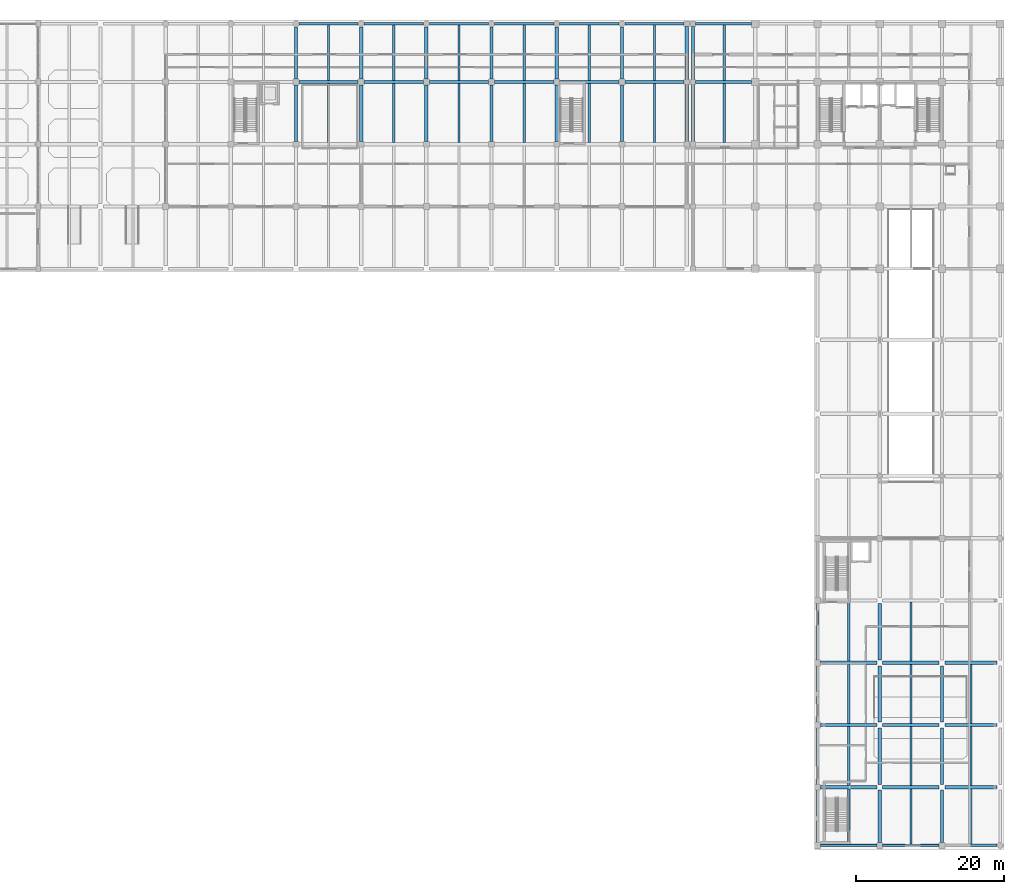
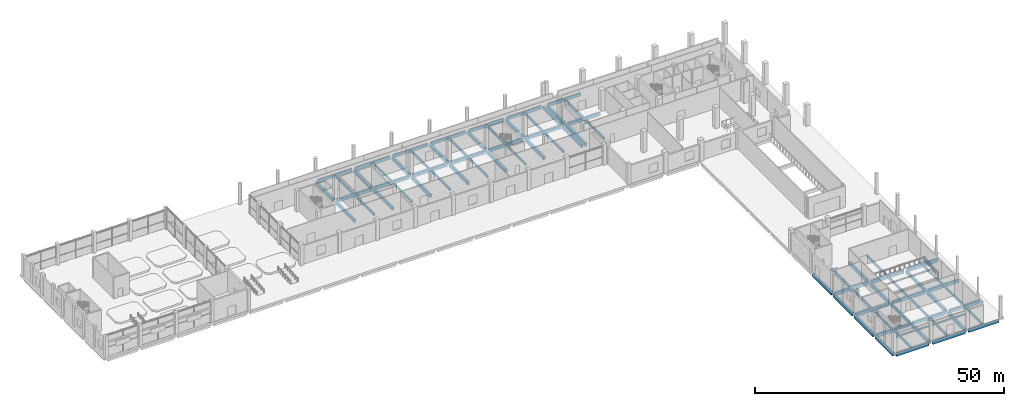
# One storey, part 14 of 34: 80 beams.
"""IFC4 building model written with IfcOpenShell, lengths in metres."""

from ifc_helpers import new_model, si_unit, direction, frame, origin, origin_2d, place, context, subcontext, project, spatial, rectangle, extrude, material, material_profile, profile_set, type_object, element, save


model = new_model("IFC4")

# Units and contexts
model_context = context("Model", 3, precision=1e-05, world=origin(), true_north=direction((0.0, 1.0)))
body_context = subcontext(model_context, "Body", "Model", "MODEL_VIEW")
ifc_project = project(units=[si_unit("LENGTHUNIT", "METRE"), si_unit("AREAUNIT", "SQUARE_METRE"), si_unit("VOLUMEUNIT", "CUBIC_METRE"), si_unit("PLANEANGLEUNIT", "RADIAN"), si_unit("MASSUNIT", "GRAM", prefix="KILO")], contexts=[model_context])

# Site, building, storey
site_placement = place(None, origin())
site = spatial("IfcSite", under=ifc_project, at=site_placement, CompositionType="ELEMENT")
building_placement = place(site_placement, origin())
building = spatial("IfcBuilding", under=site, at=building_placement, Name="Brinegate Botanical Conservatory", CompositionType="ELEMENT")
storey_placement = place(building_placement, origin())
storey = spatial("IfcBuildingStorey", under=building, at=storey_placement, Name="L01", CompositionType="ELEMENT", Elevation=0.0)

# Beams
ifc_material_1 = material(Name="Concrete C40/50", Category="concrete")
ifc_material_profile_1 = material_profile(ifc_material_1, rectangle(XDim=0.449951171875, YDim=0.800048828125, at=origin_2d()), Name="RC BM 450x800")
ifc_profile_set_1 = profile_set([ifc_material_profile_1], Name="Concrete C40/50")
beam_type_1 = type_object("IfcBeamType", Name="Beam_BM-G1", PredefinedType="BEAM", material=ifc_profile_set_1)
beam_1_placement = place(storey_placement, frame((139.199951171875, 8.39990234375, -0.804931640625), z_axis=(1.0, 0.0, 0.0), x_axis=(0.0, 1.0, 0.0)))
element("IfcBeam", 1, at=beam_1_placement, inside=storey, type_object=beam_type_1, Name="Beam BM-G1 L01 B:18-19", PredefinedType="BEAM", context=body_context, shape_type="SweptSolid", body=[
    extrude(rectangle(XDim=0.449951171875, YDim=0.800048828125, at=origin_2d()), origin(), (0.0, 0.0, 1.0), 7.60009765625),
])
beam_2_placement = place(storey_placement, frame((147.60009765625, 8.39990234375, -0.804931640625), z_axis=(1.0, 0.0, 0.0), x_axis=(0.0, 1.0, 0.0)))
element("IfcBeam", 2, at=beam_2_placement, inside=storey, type_object=beam_type_1, Name="Beam BM-G1 L01 B:19-20", PredefinedType="BEAM", context=body_context, shape_type="SweptSolid", body=[
    extrude(rectangle(XDim=0.449951171875, YDim=0.800048828125, at=origin_2d()), origin(), (0.0, 0.0, 1.0), 7.599853515625),
])
beam_3_placement = place(storey_placement, frame((156.0, 8.39990234375, -0.804931640625), z_axis=(1.0, 0.0, 0.0), x_axis=(0.0, 1.0, 0.0)))
element("IfcBeam", 3, at=beam_3_placement, inside=storey, type_object=beam_type_1, Name="Beam BM-G1 L01 B:20-21", PredefinedType="BEAM", context=body_context, shape_type="SweptSolid", body=[
    extrude(rectangle(XDim=0.449951171875, YDim=0.800048828125, at=origin_2d()), origin(), (0.0, 0.0, 1.0), 7.050048828125),
])
beam_4_placement = place(storey_placement, frame((139.199951171875, 16.800048828125, -0.804931640625), z_axis=(1.0, 0.0, 0.0), x_axis=(0.0, 1.0, 0.0)))
element("IfcBeam", 4, at=beam_4_placement, inside=storey, type_object=beam_type_1, Name="Beam BM-G1 L01 C:18-19", PredefinedType="BEAM", context=body_context, shape_type="SweptSolid", body=[
    extrude(rectangle(XDim=0.449951171875, YDim=0.800048828125, at=origin_2d()), origin(), (0.0, 0.0, 1.0), 7.60009765625),
])
beam_5_placement = place(storey_placement, frame((147.60009765625, 16.800048828125, -0.804931640625), z_axis=(1.0, 0.0, 0.0), x_axis=(0.0, 1.0, 0.0)))
element("IfcBeam", 5, at=beam_5_placement, inside=storey, type_object=beam_type_1, Name="Beam BM-G1 L01 C:19-20", PredefinedType="BEAM", context=body_context, shape_type="SweptSolid", body=[
    extrude(rectangle(XDim=0.449951171875, YDim=0.800048828125, at=origin_2d()), origin(), (0.0, 0.0, 1.0), 7.599853515625),
])
beam_6_placement = place(storey_placement, frame((156.0, 16.800048828125, -0.804931640625), z_axis=(1.0, 0.0, 0.0), x_axis=(0.0, 1.0, 0.0)))
element("IfcBeam", 6, at=beam_6_placement, inside=storey, type_object=beam_type_1, Name="Beam BM-G1 L01 C:20-21", PredefinedType="BEAM", context=body_context, shape_type="SweptSolid", body=[
    extrude(rectangle(XDim=0.449951171875, YDim=0.800048828125, at=origin_2d()), origin(), (0.0, 0.0, 1.0), 7.050048828125),
])
beam_7_placement = place(storey_placement, frame((139.199951171875, 25.199951171875, -0.804931640625), z_axis=(1.0, 0.0, 0.0), x_axis=(0.0, 1.0, 0.0)))
element("IfcBeam", 7, at=beam_7_placement, inside=storey, type_object=beam_type_1, Name="Beam BM-G1 L01 D:18-19", PredefinedType="BEAM", context=body_context, shape_type="SweptSolid", body=[
    extrude(rectangle(XDim=0.449951171875, YDim=0.800048828125, at=origin_2d()), origin(), (0.0, 0.0, 1.0), 7.60009765625),
])
beam_8_placement = place(storey_placement, frame((147.60009765625, 25.199951171875, -0.804931640625), z_axis=(1.0, 0.0, 0.0), x_axis=(0.0, 1.0, 0.0)))
element("IfcBeam", 8, at=beam_8_placement, inside=storey, type_object=beam_type_1, Name="Beam BM-G1 L01 D:19-20", PredefinedType="BEAM", context=body_context, shape_type="SweptSolid", body=[
    extrude(rectangle(XDim=0.449951171875, YDim=0.800048828125, at=origin_2d()), origin(), (0.0, 0.0, 1.0), 7.599853515625),
])
beam_9_placement = place(storey_placement, frame((156.0, 25.199951171875, -0.804931640625), z_axis=(1.0, 0.0, 0.0), x_axis=(0.0, 1.0, 0.0)))
element("IfcBeam", 9, at=beam_9_placement, inside=storey, type_object=beam_type_1, Name="Beam BM-G1 L01 D:20-21", PredefinedType="BEAM", context=body_context, shape_type="SweptSolid", body=[
    extrude(rectangle(XDim=0.449951171875, YDim=0.800048828125, at=origin_2d()), origin(), (0.0, 0.0, 1.0), 7.050048828125),
])
for number, where, z_axis, x_axis, name in (
    (10, (68.800048828125, 103.60009765625, -0.804931640625), (1.0, 0.0, 0.0), (0.0, 1.0, 0.0), "Beam BM-G1 L01 N:9-10"),
    (11, (77.60009765625, 103.60009765625, -0.804931640625), (1.0, 0.0, 0.0), (0.0, 1.0, 0.0), "Beam BM-G1 L01 N:10-11"),
    (12, (86.39990234375, 103.60009765625, -0.804931640625), (1.0, 0.0, 0.0), (0.0, 1.0, 0.0), "Beam BM-G1 L01 N:11-12"),
    (13, (95.199951171875, 103.60009765625, -0.804931640625), (1.0, 0.0, 0.0), (0.0, 1.0, 0.0), "Beam BM-G1 L01 N:12-13"),
    (14, (104.0, 103.60009765625, -0.804931640625), (1.0, 0.0, 0.0), (0.0, 1.0, 0.0), "Beam BM-G1 L01 N:13-14"),
    (15, (112.800048828125, 103.60009765625, -0.804931640625), (1.0, 0.0, 0.0), (0.0, 1.0, 0.0), "Beam BM-G1 L01 N:14-15"),
):
    element("IfcBeam", number, at=place(storey_placement, frame(where, z_axis=z_axis, x_axis=x_axis)), inside=storey, type_object=beam_type_1, Name=name, PredefinedType="BEAM", context=body_context, shape_type="SweptSolid", body=[
        extrude(rectangle(XDim=0.449951171875, YDim=0.800048828125, at=origin_2d()), origin(), (0.0, 0.0, 1.0), 8.0),
    ])
beam_10_placement = place(storey_placement, frame((122.35009765625, 103.60009765625, -0.804931640625), z_axis=(1.0, 0.0, 0.0), x_axis=(0.0, 1.0, 0.0)))
element("IfcBeam", 16, at=beam_10_placement, inside=storey, type_object=beam_type_1, Name="Beam BM-G1 L01 N:16-17", PredefinedType="BEAM", context=body_context, shape_type="SweptSolid", body=[
    extrude(rectangle(XDim=0.449951171875, YDim=0.800048828125, at=origin_2d()), origin(), (0.0, 0.0, 1.0), 7.5498046875),
])
beam_11_placement = place(storey_placement, frame((68.39990234375, 95.60009765625, -0.804931640625), z_axis=(0.0, 1.0, 0.0), x_axis=(-1.0, 0.0, 0.0)))
element("IfcBeam", 17, at=beam_11_placement, inside=storey, type_object=beam_type_1, Name="Beam BM-G1 L01 9:M-N", PredefinedType="BEAM", context=body_context, shape_type="SweptSolid", body=[
    extrude(rectangle(XDim=0.449951171875, YDim=0.800048828125, at=origin_2d()), origin(), (0.0, 0.0, 1.0), 7.599853515625),
])
beam_12_placement = place(storey_placement, frame((68.39990234375, 104.0, -0.804931640625), z_axis=(0.0, 1.0, 0.0), x_axis=(-1.0, 0.0, 0.0)))
element("IfcBeam", 18, at=beam_12_placement, inside=storey, type_object=beam_type_1, Name="Beam BM-G1 L01 9:N-P", PredefinedType="BEAM", context=body_context, shape_type="SweptSolid", body=[
    extrude(rectangle(XDim=0.449951171875, YDim=0.800048828125, at=origin_2d()), origin(), (0.0, 0.0, 1.0), 7.050048828125),
])
beam_13_placement = place(storey_placement, frame((77.199951171875, 95.60009765625, -0.804931640625), z_axis=(0.0, 1.0, 0.0), x_axis=(-1.0, 0.0, 0.0)))
element("IfcBeam", 19, at=beam_13_placement, inside=storey, type_object=beam_type_1, Name="Beam BM-G1 L01 10:M-N", PredefinedType="BEAM", context=body_context, shape_type="SweptSolid", body=[
    extrude(rectangle(XDim=0.449951171875, YDim=0.800048828125, at=origin_2d()), origin(), (0.0, 0.0, 1.0), 7.599853515625),
])
beam_14_placement = place(storey_placement, frame((77.199951171875, 104.0, -0.804931640625), z_axis=(0.0, 1.0, 0.0), x_axis=(-1.0, 0.0, 0.0)))
element("IfcBeam", 20, at=beam_14_placement, inside=storey, type_object=beam_type_1, Name="Beam BM-G1 L01 10:N-P", PredefinedType="BEAM", context=body_context, shape_type="SweptSolid", body=[
    extrude(rectangle(XDim=0.449951171875, YDim=0.800048828125, at=origin_2d()), origin(), (0.0, 0.0, 1.0), 7.050048828125),
])
beam_15_placement = place(storey_placement, frame((86.0, 95.60009765625, -0.804931640625), z_axis=(0.0, 1.0, 0.0), x_axis=(-1.0, 0.0, 0.0)))
element("IfcBeam", 21, at=beam_15_placement, inside=storey, type_object=beam_type_1, Name="Beam BM-G1 L01 11:M-N", PredefinedType="BEAM", context=body_context, shape_type="SweptSolid", body=[
    extrude(rectangle(XDim=0.449951171875, YDim=0.800048828125, at=origin_2d()), origin(), (0.0, 0.0, 1.0), 7.599853515625),
])
beam_16_placement = place(storey_placement, frame((86.0, 104.0, -0.804931640625), z_axis=(0.0, 1.0, 0.0), x_axis=(-1.0, 0.0, 0.0)))
element("IfcBeam", 22, at=beam_16_placement, inside=storey, type_object=beam_type_1, Name="Beam BM-G1 L01 11:N-P", PredefinedType="BEAM", context=body_context, shape_type="SweptSolid", body=[
    extrude(rectangle(XDim=0.449951171875, YDim=0.800048828125, at=origin_2d()), origin(), (0.0, 0.0, 1.0), 7.050048828125),
])
beam_17_placement = place(storey_placement, frame((94.800048828125, 95.60009765625, -0.804931640625), z_axis=(0.0, 1.0, 0.0), x_axis=(-1.0, 0.0, 0.0)))
element("IfcBeam", 23, at=beam_17_placement, inside=storey, type_object=beam_type_1, Name="Beam BM-G1 L01 12:M-N", PredefinedType="BEAM", context=body_context, shape_type="SweptSolid", body=[
    extrude(rectangle(XDim=0.449951171875, YDim=0.800048828125, at=origin_2d()), origin(), (0.0, 0.0, 1.0), 7.599853515625),
])
beam_18_placement = place(storey_placement, frame((94.800048828125, 104.0, -0.804931640625), z_axis=(0.0, 1.0, 0.0), x_axis=(-1.0, 0.0, 0.0)))
element("IfcBeam", 24, at=beam_18_placement, inside=storey, type_object=beam_type_1, Name="Beam BM-G1 L01 12:N-P", PredefinedType="BEAM", context=body_context, shape_type="SweptSolid", body=[
    extrude(rectangle(XDim=0.449951171875, YDim=0.800048828125, at=origin_2d()), origin(), (0.0, 0.0, 1.0), 7.050048828125),
])
beam_19_placement = place(storey_placement, frame((103.60009765625, 95.60009765625, -0.804931640625), z_axis=(0.0, 1.0, 0.0), x_axis=(-1.0, 0.0, 0.0)))
element("IfcBeam", 25, at=beam_19_placement, inside=storey, type_object=beam_type_1, Name="Beam BM-G1 L01 13:M-N", PredefinedType="BEAM", context=body_context, shape_type="SweptSolid", body=[
    extrude(rectangle(XDim=0.449951171875, YDim=0.800048828125, at=origin_2d()), origin(), (0.0, 0.0, 1.0), 7.599853515625),
])
beam_20_placement = place(storey_placement, frame((103.60009765625, 104.0, -0.804931640625), z_axis=(0.0, 1.0, 0.0), x_axis=(-1.0, 0.0, 0.0)))
element("IfcBeam", 26, at=beam_20_placement, inside=storey, type_object=beam_type_1, Name="Beam BM-G1 L01 13:N-P", PredefinedType="BEAM", context=body_context, shape_type="SweptSolid", body=[
    extrude(rectangle(XDim=0.449951171875, YDim=0.800048828125, at=origin_2d()), origin(), (0.0, 0.0, 1.0), 7.050048828125),
])
beam_21_placement = place(storey_placement, frame((112.39990234375, 95.60009765625, -0.804931640625), z_axis=(0.0, 1.0, 0.0), x_axis=(-1.0, 0.0, 0.0)))
element("IfcBeam", 27, at=beam_21_placement, inside=storey, type_object=beam_type_1, Name="Beam BM-G1 L01 14:M-N", PredefinedType="BEAM", context=body_context, shape_type="SweptSolid", body=[
    extrude(rectangle(XDim=0.449951171875, YDim=0.800048828125, at=origin_2d()), origin(), (0.0, 0.0, 1.0), 7.599853515625),
])
beam_22_placement = place(storey_placement, frame((112.39990234375, 104.0, -0.804931640625), z_axis=(0.0, 1.0, 0.0), x_axis=(-1.0, 0.0, 0.0)))
element("IfcBeam", 28, at=beam_22_placement, inside=storey, type_object=beam_type_1, Name="Beam BM-G1 L01 14:N-P", PredefinedType="BEAM", context=body_context, shape_type="SweptSolid", body=[
    extrude(rectangle(XDim=0.449951171875, YDim=0.800048828125, at=origin_2d()), origin(), (0.0, 0.0, 1.0), 7.050048828125),
])
beam_23_placement = place(storey_placement, frame((121.14990234375, 95.550048828125, -0.804931640625), z_axis=(0.0, 1.0, 0.0), x_axis=(-1.0, 0.0, 0.0)))
element("IfcBeam", 29, at=beam_23_placement, inside=storey, type_object=beam_type_1, Name="Beam BM-G1 L01 15:M-N", PredefinedType="BEAM", context=body_context, shape_type="SweptSolid", body=[
    extrude(rectangle(XDim=0.449951171875, YDim=0.800048828125, at=origin_2d()), origin(), (0.0, 0.0, 1.0), 7.699951171875),
])
beam_24_placement = place(storey_placement, frame((121.14990234375, 103.949951171875, -0.804931640625), z_axis=(0.0, 1.0, 0.0), x_axis=(-1.0, 0.0, 0.0)))
element("IfcBeam", 30, at=beam_24_placement, inside=storey, type_object=beam_type_1, Name="Beam BM-G1 L01 15:N-P", PredefinedType="BEAM", context=body_context, shape_type="SweptSolid", body=[
    extrude(rectangle(XDim=0.449951171875, YDim=0.800048828125, at=origin_2d()), origin(), (0.0, 0.0, 1.0), 7.150146484375),
])
beam_25_placement = place(storey_placement, frame((122.0, 95.550048828125, -0.804931640625), z_axis=(0.0, 1.0, 0.0), x_axis=(-1.0, 0.0, 0.0)))
element("IfcBeam", 31, at=beam_25_placement, inside=storey, type_object=beam_type_1, Name="Beam BM-G1 L01 16:M-N", PredefinedType="BEAM", context=body_context, shape_type="SweptSolid", body=[
    extrude(rectangle(XDim=0.449951171875, YDim=0.800048828125, at=origin_2d()), origin(), (0.0, 0.0, 1.0), 7.699951171875),
])
beam_26_placement = place(storey_placement, frame((122.0, 103.949951171875, -0.804931640625), z_axis=(0.0, 1.0, 0.0), x_axis=(-1.0, 0.0, 0.0)))
element("IfcBeam", 32, at=beam_26_placement, inside=storey, type_object=beam_type_1, Name="Beam BM-G1 L01 16:N-P", PredefinedType="BEAM", context=body_context, shape_type="SweptSolid", body=[
    extrude(rectangle(XDim=0.449951171875, YDim=0.800048828125, at=origin_2d()), origin(), (0.0, 0.0, 1.0), 7.150146484375),
])
beam_27_placement = place(storey_placement, frame((138.800048828125, 0.949951171875, -0.804931640625), z_axis=(0.0, 1.0, 0.0), x_axis=(-1.0, 0.0, 0.0)))
element("IfcBeam", 33, at=beam_27_placement, inside=storey, type_object=beam_type_1, Name="Beam BM-G1 L01 18:A-B", PredefinedType="BEAM", context=body_context, shape_type="SweptSolid", body=[
    extrude(rectangle(XDim=0.449951171875, YDim=0.800048828125, at=origin_2d()), origin(), (0.0, 0.0, 1.0), 7.050048828125),
])
beam_28_placement = place(storey_placement, frame((138.800048828125, 8.800048828125, -0.804931640625), z_axis=(0.0, 1.0, 0.0), x_axis=(-1.0, 0.0, 0.0)))
element("IfcBeam", 34, at=beam_28_placement, inside=storey, type_object=beam_type_1, Name="Beam BM-G1 L01 18:B-C", PredefinedType="BEAM", context=body_context, shape_type="SweptSolid", body=[
    extrude(rectangle(XDim=0.449951171875, YDim=0.800048828125, at=origin_2d()), origin(), (0.0, 0.0, 1.0), 7.599853515625),
])
beam_29_placement = place(storey_placement, frame((138.800048828125, 17.199951171875, -0.804931640625), z_axis=(0.0, 1.0, 0.0), x_axis=(-1.0, 0.0, 0.0)))
element("IfcBeam", 35, at=beam_29_placement, inside=storey, type_object=beam_type_1, Name="Beam BM-G1 L01 18:C-D", PredefinedType="BEAM", context=body_context, shape_type="SweptSolid", body=[
    extrude(rectangle(XDim=0.449951171875, YDim=0.800048828125, at=origin_2d()), origin(), (0.0, 0.0, 1.0), 7.60009765625),
])
beam_30_placement = place(storey_placement, frame((138.800048828125, 25.60009765625, -0.804931640625), z_axis=(0.0, 1.0, 0.0), x_axis=(-1.0, 0.0, 0.0)))
element("IfcBeam", 36, at=beam_30_placement, inside=storey, type_object=beam_type_1, Name="Beam BM-G1 L01 18:D-E", PredefinedType="BEAM", context=body_context, shape_type="SweptSolid", body=[
    extrude(rectangle(XDim=0.449951171875, YDim=0.800048828125, at=origin_2d()), origin(), (0.0, 0.0, 1.0), 7.599853515625),
])
beam_31_placement = place(storey_placement, frame((147.199951171875, 0.949951171875, -0.804931640625), z_axis=(0.0, 1.0, 0.0), x_axis=(-1.0, 0.0, 0.0)))
element("IfcBeam", 37, at=beam_31_placement, inside=storey, type_object=beam_type_1, Name="Beam BM-G1 L01 19:A-B", PredefinedType="BEAM", context=body_context, shape_type="SweptSolid", body=[
    extrude(rectangle(XDim=0.449951171875, YDim=0.800048828125, at=origin_2d()), origin(), (0.0, 0.0, 1.0), 7.050048828125),
])
beam_32_placement = place(storey_placement, frame((147.199951171875, 8.800048828125, -0.804931640625), z_axis=(0.0, 1.0, 0.0), x_axis=(-1.0, 0.0, 0.0)))
element("IfcBeam", 38, at=beam_32_placement, inside=storey, type_object=beam_type_1, Name="Beam BM-G1 L01 19:B-C", PredefinedType="BEAM", context=body_context, shape_type="SweptSolid", body=[
    extrude(rectangle(XDim=0.449951171875, YDim=0.800048828125, at=origin_2d()), origin(), (0.0, 0.0, 1.0), 7.599853515625),
])
beam_33_placement = place(storey_placement, frame((147.199951171875, 17.199951171875, -0.804931640625), z_axis=(0.0, 1.0, 0.0), x_axis=(-1.0, 0.0, 0.0)))
element("IfcBeam", 39, at=beam_33_placement, inside=storey, type_object=beam_type_1, Name="Beam BM-G1 L01 19:C-D", PredefinedType="BEAM", context=body_context, shape_type="SweptSolid", body=[
    extrude(rectangle(XDim=0.449951171875, YDim=0.800048828125, at=origin_2d()), origin(), (0.0, 0.0, 1.0), 7.60009765625),
])
beam_34_placement = place(storey_placement, frame((147.199951171875, 25.60009765625, -0.804931640625), z_axis=(0.0, 1.0, 0.0), x_axis=(-1.0, 0.0, 0.0)))
element("IfcBeam", 40, at=beam_34_placement, inside=storey, type_object=beam_type_1, Name="Beam BM-G1 L01 19:D-E", PredefinedType="BEAM", context=body_context, shape_type="SweptSolid", body=[
    extrude(rectangle(XDim=0.449951171875, YDim=0.800048828125, at=origin_2d()), origin(), (0.0, 0.0, 1.0), 7.599853515625),
])
beam_35_placement = place(storey_placement, frame((155.60009765625, 0.949951171875, -0.804931640625), z_axis=(0.0, 1.0, 0.0), x_axis=(-1.0, 0.0, 0.0)))
element("IfcBeam", 41, at=beam_35_placement, inside=storey, type_object=beam_type_1, Name="Beam BM-G1 L01 20:A-B", PredefinedType="BEAM", context=body_context, shape_type="SweptSolid", body=[
    extrude(rectangle(XDim=0.449951171875, YDim=0.800048828125, at=origin_2d()), origin(), (0.0, 0.0, 1.0), 7.050048828125),
])
beam_36_placement = place(storey_placement, frame((155.60009765625, 8.800048828125, -0.804931640625), z_axis=(0.0, 1.0, 0.0), x_axis=(-1.0, 0.0, 0.0)))
element("IfcBeam", 42, at=beam_36_placement, inside=storey, type_object=beam_type_1, Name="Beam BM-G1 L01 20:B-C", PredefinedType="BEAM", context=body_context, shape_type="SweptSolid", body=[
    extrude(rectangle(XDim=0.449951171875, YDim=0.800048828125, at=origin_2d()), origin(), (0.0, 0.0, 1.0), 7.599853515625),
])
beam_37_placement = place(storey_placement, frame((155.60009765625, 17.199951171875, -0.804931640625), z_axis=(0.0, 1.0, 0.0), x_axis=(-1.0, 0.0, 0.0)))
element("IfcBeam", 43, at=beam_37_placement, inside=storey, type_object=beam_type_1, Name="Beam BM-G1 L01 20:C-D", PredefinedType="BEAM", context=body_context, shape_type="SweptSolid", body=[
    extrude(rectangle(XDim=0.449951171875, YDim=0.800048828125, at=origin_2d()), origin(), (0.0, 0.0, 1.0), 7.60009765625),
])
ifc_material_profile_2 = material_profile(ifc_material_1, rectangle(XDim=0.300048828125, YDim=0.550048828125, at=origin_2d()), Name="RC JST 300x550")
ifc_profile_set_2 = profile_set([ifc_material_profile_2], Name="Concrete C40/50")
beam_type_2 = type_object("IfcBeamType", Name="Beam_JS-C1", PredefinedType="JOIST", material=ifc_profile_set_2)
beam_38_placement = place(storey_placement, frame((72.800048828125, 95.425048828125, -0.679931640625), z_axis=(0.0, 1.0, 0.0), x_axis=(-1.0, 0.0, 0.0)))
element("IfcBeam", 44, at=beam_38_placement, inside=storey, type_object=beam_type_2, Name="Floor joist JS-C1 L01 bay 9.12", PredefinedType="JOIST", context=body_context, shape_type="SweptSolid", body=[
    extrude(rectangle(XDim=0.300048828125, YDim=0.550048828125, at=origin_2d()), origin(), (0.0, 0.0, 1.0), 7.949951171875),
])
beam_39_placement = place(storey_placement, frame((72.800048828125, 103.824951171875, -0.679931640625), z_axis=(0.0, 1.0, 0.0), x_axis=(-1.0, 0.0, 0.0)))
element("IfcBeam", 45, at=beam_39_placement, inside=storey, type_object=beam_type_2, Name="Floor joist JS-C1 L01 bay 9.13", PredefinedType="JOIST", context=body_context, shape_type="SweptSolid", body=[
    extrude(rectangle(XDim=0.300048828125, YDim=0.550048828125, at=origin_2d()), origin(), (0.0, 0.0, 1.0), 7.449951171875),
])
beam_40_placement = place(storey_placement, frame((81.60009765625, 95.425048828125, -0.679931640625), z_axis=(0.0, 1.0, 0.0), x_axis=(-1.0, 0.0, 0.0)))
element("IfcBeam", 46, at=beam_40_placement, inside=storey, type_object=beam_type_2, Name="Floor joist JS-C1 L01 bay 10.12", PredefinedType="JOIST", context=body_context, shape_type="SweptSolid", body=[
    extrude(rectangle(XDim=0.300048828125, YDim=0.550048828125, at=origin_2d()), origin(), (0.0, 0.0, 1.0), 7.949951171875),
])
beam_41_placement = place(storey_placement, frame((81.60009765625, 103.824951171875, -0.679931640625), z_axis=(0.0, 1.0, 0.0), x_axis=(-1.0, 0.0, 0.0)))
element("IfcBeam", 47, at=beam_41_placement, inside=storey, type_object=beam_type_2, Name="Floor joist JS-C1 L01 bay 10.13", PredefinedType="JOIST", context=body_context, shape_type="SweptSolid", body=[
    extrude(rectangle(XDim=0.300048828125, YDim=0.550048828125, at=origin_2d()), origin(), (0.0, 0.0, 1.0), 7.449951171875),
])
beam_42_placement = place(storey_placement, frame((90.39990234375, 95.425048828125, -0.679931640625), z_axis=(0.0, 1.0, 0.0), x_axis=(-1.0, 0.0, 0.0)))
element("IfcBeam", 48, at=beam_42_placement, inside=storey, type_object=beam_type_2, Name="Floor joist JS-C1 L01 bay 11.12", PredefinedType="JOIST", context=body_context, shape_type="SweptSolid", body=[
    extrude(rectangle(XDim=0.300048828125, YDim=0.550048828125, at=origin_2d()), origin(), (0.0, 0.0, 1.0), 7.949951171875),
])
beam_43_placement = place(storey_placement, frame((90.39990234375, 103.824951171875, -0.679931640625), z_axis=(0.0, 1.0, 0.0), x_axis=(-1.0, 0.0, 0.0)))
element("IfcBeam", 49, at=beam_43_placement, inside=storey, type_object=beam_type_2, Name="Floor joist JS-C1 L01 bay 11.13", PredefinedType="JOIST", context=body_context, shape_type="SweptSolid", body=[
    extrude(rectangle(XDim=0.300048828125, YDim=0.550048828125, at=origin_2d()), origin(), (0.0, 0.0, 1.0), 7.449951171875),
])
beam_44_placement = place(storey_placement, frame((99.199951171875, 95.425048828125, -0.679931640625), z_axis=(0.0, 1.0, 0.0), x_axis=(-1.0, 0.0, 0.0)))
element("IfcBeam", 50, at=beam_44_placement, inside=storey, type_object=beam_type_2, Name="Floor joist JS-C1 L01 bay 12.12", PredefinedType="JOIST", context=body_context, shape_type="SweptSolid", body=[
    extrude(rectangle(XDim=0.300048828125, YDim=0.550048828125, at=origin_2d()), origin(), (0.0, 0.0, 1.0), 7.949951171875),
])
beam_45_placement = place(storey_placement, frame((99.199951171875, 103.824951171875, -0.679931640625), z_axis=(0.0, 1.0, 0.0), x_axis=(-1.0, 0.0, 0.0)))
element("IfcBeam", 51, at=beam_45_placement, inside=storey, type_object=beam_type_2, Name="Floor joist JS-C1 L01 bay 12.13", PredefinedType="JOIST", context=body_context, shape_type="SweptSolid", body=[
    extrude(rectangle(XDim=0.300048828125, YDim=0.550048828125, at=origin_2d()), origin(), (0.0, 0.0, 1.0), 7.449951171875),
])
beam_46_placement = place(storey_placement, frame((108.0, 95.425048828125, -0.679931640625), z_axis=(0.0, 1.0, 0.0), x_axis=(-1.0, 0.0, 0.0)))
element("IfcBeam", 52, at=beam_46_placement, inside=storey, type_object=beam_type_2, Name="Floor joist JS-C1 L01 bay 13.12", PredefinedType="JOIST", context=body_context, shape_type="SweptSolid", body=[
    extrude(rectangle(XDim=0.300048828125, YDim=0.550048828125, at=origin_2d()), origin(), (0.0, 0.0, 1.0), 7.949951171875),
])
beam_47_placement = place(storey_placement, frame((108.0, 103.824951171875, -0.679931640625), z_axis=(0.0, 1.0, 0.0), x_axis=(-1.0, 0.0, 0.0)))
element("IfcBeam", 53, at=beam_47_placement, inside=storey, type_object=beam_type_2, Name="Floor joist JS-C1 L01 bay 13.13", PredefinedType="JOIST", context=body_context, shape_type="SweptSolid", body=[
    extrude(rectangle(XDim=0.300048828125, YDim=0.550048828125, at=origin_2d()), origin(), (0.0, 0.0, 1.0), 7.449951171875),
])
beam_48_placement = place(storey_placement, frame((116.77490234375, 95.425048828125, -0.679931640625), z_axis=(0.0, 1.0, 0.0), x_axis=(-1.0, 0.0, 0.0)))
element("IfcBeam", 54, at=beam_48_placement, inside=storey, type_object=beam_type_2, Name="Floor joist JS-C1 L01 bay 14.12", PredefinedType="JOIST", context=body_context, shape_type="SweptSolid", body=[
    extrude(rectangle(XDim=0.300048828125, YDim=0.550048828125, at=origin_2d()), origin(), (0.0, 0.0, 1.0), 7.949951171875),
])
beam_49_placement = place(storey_placement, frame((116.77490234375, 103.824951171875, -0.679931640625), z_axis=(0.0, 1.0, 0.0), x_axis=(-1.0, 0.0, 0.0)))
element("IfcBeam", 55, at=beam_49_placement, inside=storey, type_object=beam_type_2, Name="Floor joist JS-C1 L01 bay 14.13", PredefinedType="JOIST", context=body_context, shape_type="SweptSolid", body=[
    extrude(rectangle(XDim=0.300048828125, YDim=0.550048828125, at=origin_2d()), origin(), (0.0, 0.0, 1.0), 7.449951171875),
])
beam_50_placement = place(storey_placement, frame((126.199951171875, 95.425048828125, -0.679931640625), z_axis=(0.0, 1.0, 0.0), x_axis=(-1.0, 0.0, 0.0)))
element("IfcBeam", 56, at=beam_50_placement, inside=storey, type_object=beam_type_2, Name="Floor joist JS-C1 L01 bay 16.12", PredefinedType="JOIST", context=body_context, shape_type="SweptSolid", body=[
    extrude(rectangle(XDim=0.300048828125, YDim=0.550048828125, at=origin_2d()), origin(), (0.0, 0.0, 1.0), 7.949951171875),
])
for number, where, z_axis, x_axis, name in (
    (57, (126.199951171875, 103.824951171875, -0.679931640625), (0.0, 1.0, 0.0), (-1.0, 0.0, 0.0), "Floor joist JS-C1 L01 bay 16.13"),
    (58, (143.0, 0.72509765625, -0.679931640625), (0.0, 1.0, 0.0), (-1.0, 0.0, 0.0), "Floor joist JS-C1 L01 bay 18.1"),
):
    element("IfcBeam", number, at=place(storey_placement, frame(where, z_axis=z_axis, x_axis=x_axis)), inside=storey, type_object=beam_type_2, Name=name, PredefinedType="JOIST", context=body_context, shape_type="SweptSolid", body=[
        extrude(rectangle(XDim=0.300048828125, YDim=0.550048828125, at=origin_2d()), origin(), (0.0, 0.0, 1.0), 7.449951171875),
    ])
beam_51_placement = place(storey_placement, frame((143.0, 8.625, -0.679931640625), z_axis=(0.0, 1.0, 0.0), x_axis=(-1.0, 0.0, 0.0)))
element("IfcBeam", 59, at=beam_51_placement, inside=storey, type_object=beam_type_2, Name="Floor joist JS-C1 L01 bay 18.2", PredefinedType="JOIST", context=body_context, shape_type="SweptSolid", body=[
    extrude(rectangle(XDim=0.300048828125, YDim=0.550048828125, at=origin_2d()), origin(), (0.0, 0.0, 1.0), 7.949951171875),
])
beam_52_placement = place(storey_placement, frame((143.0, 17.02490234375, -0.679931640625), z_axis=(0.0, 1.0, 0.0), x_axis=(-1.0, 0.0, 0.0)))
element("IfcBeam", 60, at=beam_52_placement, inside=storey, type_object=beam_type_2, Name="Floor joist JS-C1 L01 bay 18.3", PredefinedType="JOIST", context=body_context, shape_type="SweptSolid", body=[
    extrude(rectangle(XDim=0.300048828125, YDim=0.550048828125, at=origin_2d()), origin(), (0.0, 0.0, 1.0), 7.9501953125),
])
beam_53_placement = place(storey_placement, frame((143.0, 25.425048828125, -0.679931640625), z_axis=(0.0, 1.0, 0.0), x_axis=(-1.0, 0.0, 0.0)))
element("IfcBeam", 61, at=beam_53_placement, inside=storey, type_object=beam_type_2, Name="Floor joist JS-C1 L01 bay 18.4", PredefinedType="JOIST", context=body_context, shape_type="SweptSolid", body=[
    extrude(rectangle(XDim=0.300048828125, YDim=0.550048828125, at=origin_2d()), origin(), (0.0, 0.0, 1.0), 7.949951171875),
])
beam_54_placement = place(storey_placement, frame((151.39990234375, 0.72509765625, -0.679931640625), z_axis=(0.0, 1.0, 0.0), x_axis=(-1.0, 0.0, 0.0)))
element("IfcBeam", 62, at=beam_54_placement, inside=storey, type_object=beam_type_2, Name="Floor joist JS-C1 L01 bay 19.1", PredefinedType="JOIST", context=body_context, shape_type="SweptSolid", body=[
    extrude(rectangle(XDim=0.300048828125, YDim=0.550048828125, at=origin_2d()), origin(), (0.0, 0.0, 1.0), 7.449951171875),
])
beam_55_placement = place(storey_placement, frame((151.39990234375, 8.625, -0.679931640625), z_axis=(0.0, 1.0, 0.0), x_axis=(-1.0, 0.0, 0.0)))
element("IfcBeam", 63, at=beam_55_placement, inside=storey, type_object=beam_type_2, Name="Floor joist JS-C1 L01 bay 19.2", PredefinedType="JOIST", context=body_context, shape_type="SweptSolid", body=[
    extrude(rectangle(XDim=0.300048828125, YDim=0.550048828125, at=origin_2d()), origin(), (0.0, 0.0, 1.0), 7.949951171875),
])
beam_56_placement = place(storey_placement, frame((151.39990234375, 17.02490234375, -0.679931640625), z_axis=(0.0, 1.0, 0.0), x_axis=(-1.0, 0.0, 0.0)))
element("IfcBeam", 64, at=beam_56_placement, inside=storey, type_object=beam_type_2, Name="Floor joist JS-C1 L01 bay 19.3", PredefinedType="JOIST", context=body_context, shape_type="SweptSolid", body=[
    extrude(rectangle(XDim=0.300048828125, YDim=0.550048828125, at=origin_2d()), origin(), (0.0, 0.0, 1.0), 7.9501953125),
])
beam_57_placement = place(storey_placement, frame((151.39990234375, 25.425048828125, -0.679931640625), z_axis=(0.0, 1.0, 0.0), x_axis=(-1.0, 0.0, 0.0)))
element("IfcBeam", 65, at=beam_57_placement, inside=storey, type_object=beam_type_2, Name="Floor joist JS-C1 L01 bay 19.4", PredefinedType="JOIST", context=body_context, shape_type="SweptSolid", body=[
    extrude(rectangle(XDim=0.300048828125, YDim=0.550048828125, at=origin_2d()), origin(), (0.0, 0.0, 1.0), 7.949951171875),
])
beam_58_placement = place(storey_placement, frame((159.52490234375, 0.72509765625, -0.679931640625), z_axis=(0.0, 1.0, 0.0), x_axis=(-1.0, 0.0, 0.0)))
element("IfcBeam", 66, at=beam_58_placement, inside=storey, type_object=beam_type_2, Name="Floor joist JS-C1 L01 bay 20.1", PredefinedType="JOIST", context=body_context, shape_type="SweptSolid", body=[
    extrude(rectangle(XDim=0.300048828125, YDim=0.550048828125, at=origin_2d()), origin(), (0.0, 0.0, 1.0), 7.449951171875),
])
beam_59_placement = place(storey_placement, frame((159.52490234375, 8.625, -0.679931640625), z_axis=(0.0, 1.0, 0.0), x_axis=(-1.0, 0.0, 0.0)))
element("IfcBeam", 67, at=beam_59_placement, inside=storey, type_object=beam_type_2, Name="Floor joist JS-C1 L01 bay 20.2", PredefinedType="JOIST", context=body_context, shape_type="SweptSolid", body=[
    extrude(rectangle(XDim=0.300048828125, YDim=0.550048828125, at=origin_2d()), origin(), (0.0, 0.0, 1.0), 7.949951171875),
])
beam_60_placement = place(storey_placement, frame((159.52490234375, 17.02490234375, -0.679931640625), z_axis=(0.0, 1.0, 0.0), x_axis=(-1.0, 0.0, 0.0)))
element("IfcBeam", 68, at=beam_60_placement, inside=storey, type_object=beam_type_2, Name="Floor joist JS-C1 L01 bay 20.3", PredefinedType="JOIST", context=body_context, shape_type="SweptSolid", body=[
    extrude(rectangle(XDim=0.300048828125, YDim=0.550048828125, at=origin_2d()), origin(), (0.0, 0.0, 1.0), 7.9501953125),
])
ifc_material_2 = material(Name="Precast concrete C40/50", Category="concrete")
ifc_material_profile_3 = material_profile(ifc_material_2, rectangle(XDim=0.25, YDim=0.35009765625, at=origin_2d()), Name="RC LNT 250x350")
ifc_profile_set_3 = profile_set([ifc_material_profile_3], Name="Precast concrete C40/50")
beam_type_3 = type_object("IfcBeamType", Name="Beam_LN-01", PredefinedType="LINTEL", material=ifc_profile_set_3)
beam_61_placement = place(storey_placement, frame((139.199951171875, 0.550048828125, 3.574951171875), z_axis=(1.0, 0.0, 0.0), x_axis=(0.0, 1.0, 0.0)))
element("IfcBeam", 69, at=beam_61_placement, inside=storey, type_object=beam_type_3, Name="Warehouse opening lintel LN-01 5", PredefinedType="LINTEL", context=body_context, shape_type="SweptSolid", body=[
    extrude(rectangle(XDim=0.25, YDim=0.35009765625, at=origin_2d()), origin(), (0.0, 0.0, 1.0), 7.60009765625),
])
beam_62_placement = place(storey_placement, frame((147.60009765625, 0.550048828125, 3.574951171875), z_axis=(1.0, 0.0, 0.0), x_axis=(0.0, 1.0, 0.0)))
element("IfcBeam", 70, at=beam_62_placement, inside=storey, type_object=beam_type_3, Name="Warehouse opening lintel LN-01 6", PredefinedType="LINTEL", context=body_context, shape_type="SweptSolid", body=[
    extrude(rectangle(XDim=0.25, YDim=0.35009765625, at=origin_2d()), origin(), (0.0, 0.0, 1.0), 7.599853515625),
])
ifc_material_profile_4 = material_profile(ifc_material_1, rectangle(XDim=0.35009765625, YDim=0.75, at=origin_2d()), Name="RC SPN 350x750")
ifc_profile_set_4 = profile_set([ifc_material_profile_4], Name="Concrete C40/50")
beam_type_4 = type_object("IfcBeamType", Name="Beam_SP-01", PredefinedType="SPANDREL", material=ifc_profile_set_4)
beam_63_placement = place(storey_placement, frame((139.199951171875, 0.550048828125, -0.780029296875), z_axis=(1.0, 0.0, 0.0), x_axis=(0.0, 1.0, 0.0)))
element("IfcBeam", 71, at=beam_63_placement, inside=storey, type_object=beam_type_4, Name="Beam SP-01 L01 A:18-19", PredefinedType="SPANDREL", context=body_context, shape_type="SweptSolid", body=[
    extrude(rectangle(XDim=0.35009765625, YDim=0.75, at=origin_2d()), origin(), (0.0, 0.0, 1.0), 7.60009765625),
])
beam_64_placement = place(storey_placement, frame((147.60009765625, 0.550048828125, -0.780029296875), z_axis=(1.0, 0.0, 0.0), x_axis=(0.0, 1.0, 0.0)))
element("IfcBeam", 72, at=beam_64_placement, inside=storey, type_object=beam_type_4, Name="Beam SP-01 L01 A:19-20", PredefinedType="SPANDREL", context=body_context, shape_type="SweptSolid", body=[
    extrude(rectangle(XDim=0.35009765625, YDim=0.75, at=origin_2d()), origin(), (0.0, 0.0, 1.0), 7.599853515625),
])
beam_65_placement = place(storey_placement, frame((156.0, 0.550048828125, -0.780029296875), z_axis=(1.0, 0.0, 0.0), x_axis=(0.0, 1.0, 0.0)))
element("IfcBeam", 73, at=beam_65_placement, inside=storey, type_object=beam_type_4, Name="Beam SP-01 L01 A:20-21", PredefinedType="SPANDREL", context=body_context, shape_type="SweptSolid", body=[
    extrude(rectangle(XDim=0.35009765625, YDim=0.75, at=origin_2d()), origin(), (0.0, 0.0, 1.0), 7.050048828125),
])
for number, where, z_axis, x_axis, name in (
    (74, (68.800048828125, 111.449951171875, -0.780029296875), (1.0, 0.0, 0.0), (0.0, 1.0, 0.0), "Beam SP-01 L01 P:9-10"),
    (75, (77.60009765625, 111.449951171875, -0.780029296875), (1.0, 0.0, 0.0), (0.0, 1.0, 0.0), "Beam SP-01 L01 P:10-11"),
    (76, (86.39990234375, 111.449951171875, -0.780029296875), (1.0, 0.0, 0.0), (0.0, 1.0, 0.0), "Beam SP-01 L01 P:11-12"),
    (77, (95.199951171875, 111.449951171875, -0.780029296875), (1.0, 0.0, 0.0), (0.0, 1.0, 0.0), "Beam SP-01 L01 P:12-13"),
    (78, (104.0, 111.449951171875, -0.780029296875), (1.0, 0.0, 0.0), (0.0, 1.0, 0.0), "Beam SP-01 L01 P:13-14"),
    (79, (112.800048828125, 111.449951171875, -0.780029296875), (1.0, 0.0, 0.0), (0.0, 1.0, 0.0), "Beam SP-01 L01 P:14-15"),
):
    element("IfcBeam", number, at=place(storey_placement, frame(where, z_axis=z_axis, x_axis=x_axis)), inside=storey, type_object=beam_type_4, Name=name, PredefinedType="SPANDREL", context=body_context, shape_type="SweptSolid", body=[
        extrude(rectangle(XDim=0.35009765625, YDim=0.75, at=origin_2d()), origin(), (0.0, 0.0, 1.0), 8.0),
    ])
beam_66_placement = place(storey_placement, frame((122.35009765625, 111.449951171875, -0.780029296875), z_axis=(1.0, 0.0, 0.0), x_axis=(0.0, 1.0, 0.0)))
element("IfcBeam", 80, at=beam_66_placement, inside=storey, type_object=beam_type_4, Name="Beam SP-01 L01 P:16-17", PredefinedType="SPANDREL", context=body_context, shape_type="SweptSolid", body=[
    extrude(rectangle(XDim=0.35009765625, YDim=0.75, at=origin_2d()), origin(), (0.0, 0.0, 1.0), 7.5498046875),
])

save(model, "model.ifc")
